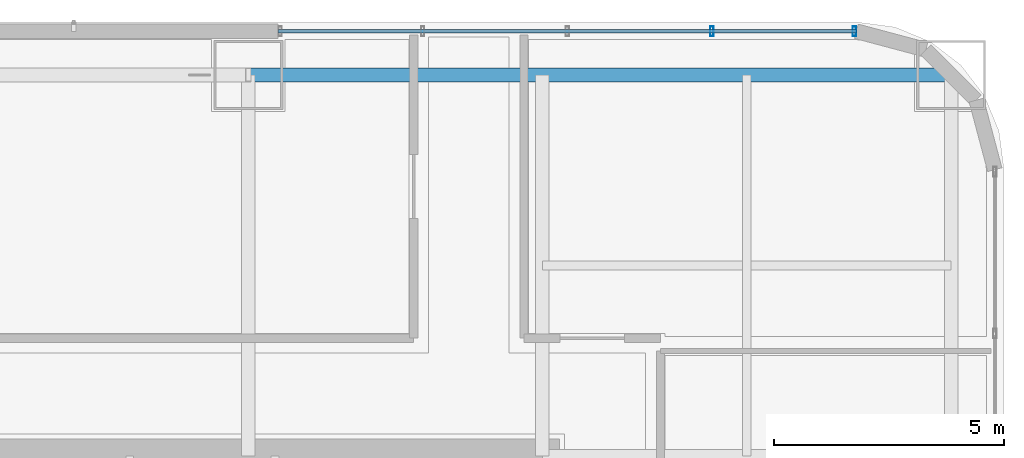
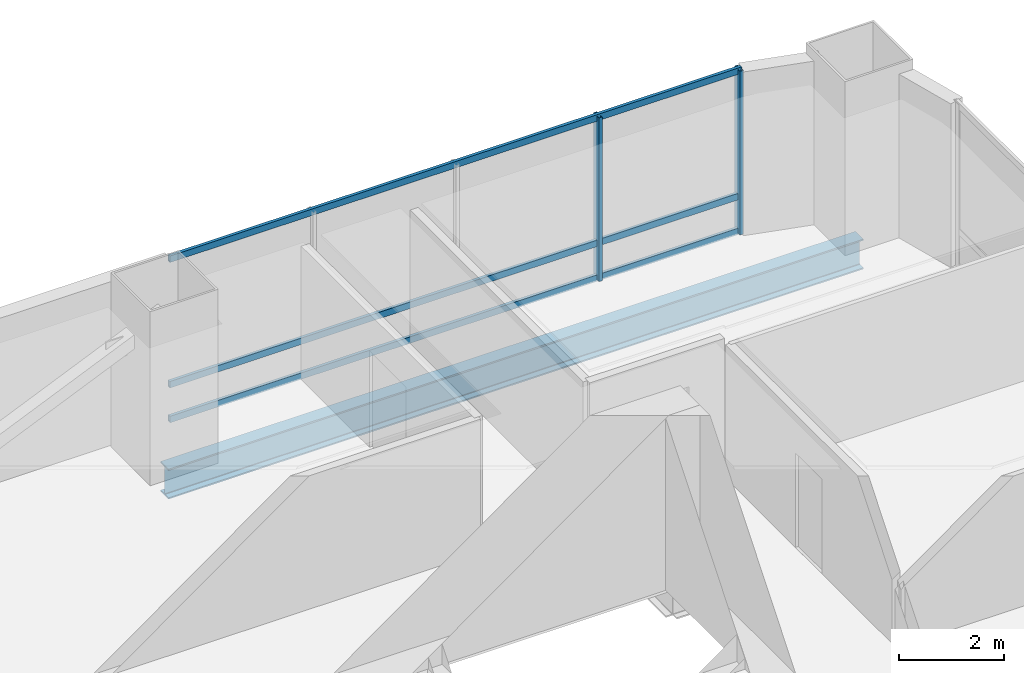
# One storey, part 22 of 37: 5 members, 1 beam, 1 element without a shape of its own.
"""IFC4 building model written with IfcOpenShell, lengths in metres."""

import ifcopenshell
import ifcopenshell.guid

model = None  # the IFC model being written
_history = None  # IfcOwnerHistory: only IFC2X3 demands one
_inside = {}  # id of a spatial element -> (the spatial element, [elements in it])
_under = {}  # id of a project, library or spatial element -> (it, [spatial elements below it])
_declared = {}  # id of a project -> (the project, [libraries it declares])
_typed = {}  # id of a type object -> (the type object, [elements of that type])
_made_of = {}  # id of a material, layer set ... -> (it, [elements and type objects made of it])


def new_model(schema):
    """Start an empty IFC model of exactly this schema.

    Asked for "IFC4X3", IfcOpenShell would pick the latest addendum, in which some entities
    have other attributes; the version numbers below select the first issue.
    IFC2X3 requires an IfcOwnerHistory on every rooted entity: one is made here for all.
    """
    global model, _history
    if schema == "IFC4X3":
        model = ifcopenshell.file(schema_version=(4, 3, 0, 0))
    else:
        model = ifcopenshell.file(schema=schema)
    _inside.clear()
    _under.clear()
    _declared.clear()
    _typed.clear()
    _made_of.clear()
    _history = None
    if model.schema == "IFC2X3":
        org = make("IfcOrganization", Name="unknown")
        user = make(
            "IfcPersonAndOrganization",
            ThePerson=make("IfcPerson", FamilyName="unknown"),
            TheOrganization=org,
        )
        app = make(
            "IfcApplication",
            ApplicationDeveloper=org,
            Version="unknown",
            ApplicationFullName="unknown",
            ApplicationIdentifier="unknown",
        )
        _history = make(
            "IfcOwnerHistory",
            OwningUser=user,
            OwningApplication=app,
            ChangeAction="ADDED",
            CreationDate=0,
        )
    return model


def make(cls, **values):
    """One entity of the class cls with the attributes given. An attribute that is None is left unset."""
    return model.create_entity(
        cls, **{name: value for name, value in values.items() if value is not None}
    )


def rooted(cls, **values):
    """An entity with a GlobalId (a new one), such as an element, a storey or a relation."""
    return make(cls, GlobalId=ifcopenshell.guid.new(), OwnerHistory=_history, **values)


def si_unit(unit_type, name, prefix=None):
    """IfcSIUnit, for example si_unit("LENGTHUNIT", "METRE", prefix="MILLI")."""
    return make("IfcSIUnit", UnitType=unit_type, Prefix=prefix, Name=name)


def assignment(units):
    """IfcUnitAssignment: the units of a project."""
    return None if units is None else make("IfcUnitAssignment", Units=units)


def point(xyz):
    """IfcCartesianPoint."""
    return None if xyz is None else make("IfcCartesianPoint", Coordinates=xyz)


def direction(xyz):
    """IfcDirection."""
    return None if xyz is None else make("IfcDirection", DirectionRatios=xyz)


def frame(location, z_axis=None, x_axis=None):
    """IfcAxis2Placement3D, a coordinate frame: its origin and axes. An axis left out is left unset."""
    return make(
        "IfcAxis2Placement3D",
        Location=point(location),
        Axis=direction(z_axis),
        RefDirection=direction(x_axis),
    )


def frame_2d(location, x_axis=None):
    """IfcAxis2Placement2D, a coordinate frame in the plane: its origin and x axis."""
    return make(
        "IfcAxis2Placement2D", Location=point(location), RefDirection=direction(x_axis)
    )


def origin():
    """The frame at (0, 0, 0) with its axes left unset."""
    return frame((0.0, 0.0, 0.0))


def origin_2d():
    """The frame at (0, 0) in the plane with its x axis left unset."""
    return frame_2d((0.0, 0.0))


def place(relative_to, where):
    """IfcLocalPlacement: puts the frame where relative to a parent placement (None: the world)."""
    return make(
        "IfcLocalPlacement", PlacementRelTo=relative_to, RelativePlacement=where
    )


def context(
    kind, dimensions, precision=None, world=None, true_north=None, identifier=None
):
    """IfcGeometricRepresentationContext, for example the 3D "Model" context."""
    return make(
        "IfcGeometricRepresentationContext",
        ContextIdentifier=identifier,
        ContextType=kind,
        CoordinateSpaceDimension=dimensions,
        Precision=precision,
        WorldCoordinateSystem=world,
        TrueNorth=true_north,
    )


def subcontext(parent, identifier, kind, view, scale=None):
    """IfcGeometricRepresentationSubContext, for example "Body" below "Model"."""
    return make(
        "IfcGeometricRepresentationSubContext",
        ContextIdentifier=identifier,
        ContextType=kind,
        ParentContext=parent,
        TargetScale=scale,
        TargetView=view,
    )


def project(units=None, contexts=None):
    """IfcProject with its units and contexts."""
    return rooted(
        "IfcProject",
        Name="project",
        RepresentationContexts=contexts,
        UnitsInContext=assignment(units),
    )


def spatial(cls, under=None, at=None, **own):
    """A site, building, storey or space (cls), placed at a placement, below another one or the project."""
    s = rooted(cls, ObjectPlacement=at, **own)
    if under is not None:
        _under.setdefault(under.id(), (under, []))[1].append(s)
    return s


def profile(cls, at=None, kind="AREA", **sizes):
    """A parametric profile (cls). Its sizes go by their IFC names, for example OverallWidth=200.0."""
    return make(cls, ProfileType=kind, Position=at, **sizes)


def hollow_rectangle(**sizes):
    """IfcRectangleHollowProfileDef."""
    return profile("IfcRectangleHollowProfileDef", **sizes)


def i_section(**sizes):
    """IfcIShapeProfileDef."""
    return profile("IfcIShapeProfileDef", **sizes)


def extrude(swept, where, along, depth):
    """IfcExtrudedAreaSolid: the profile swept, set in the frame where, extruded along a direction by depth."""
    return make(
        "IfcExtrudedAreaSolid",
        SweptArea=swept,
        Position=where,
        ExtrudedDirection=direction(along),
        Depth=depth,
    )


def shape(context_of_items, identifier, shape_type, items):
    """IfcShapeRepresentation: the items that make up one representation, for example the "Body"."""
    return make(
        "IfcShapeRepresentation",
        ContextOfItems=context_of_items,
        RepresentationIdentifier=identifier,
        RepresentationType=shape_type,
        Items=items,
    )


def material(Name=None, Category=None):
    """IfcMaterial."""
    return make("IfcMaterial", Name=Name, Category=Category)


def material_profile(
    of_material, cross_section, Name=None, Category=None, Priority=None
):
    """IfcMaterialProfile: a cross section and its material."""
    return make(
        "IfcMaterialProfile",
        Name=Name,
        Material=of_material,
        Profile=cross_section,
        Priority=Priority,
        Category=Category,
    )


def profile_set(profiles, Name=None, composite=None):
    """IfcMaterialProfileSet."""
    return make(
        "IfcMaterialProfileSet",
        Name=Name,
        MaterialProfiles=profiles,
        CompositeProfile=composite,
    )


def made_of(thing, what):
    """Note that an element or type object is made of a material, layer set ...; save() writes the relation."""
    if what is not None:
        _made_of.setdefault(what.id(), (what, []))[1].append(thing)
    return thing


def type_object(cls, material=None, **own):
    """A type object (cls), such as IfcWallType, which elements share."""
    return made_of(rooted(cls, **own), material)


def element(
    cls,
    number,
    at=None,
    inside=None,
    cuts=None,
    type_object=None,
    material=None,
    context=None,
    identifier="Body",
    shape_type=None,
    held_by="IfcProductDefinitionShape",
    body=None,
    shapes=None,
    **own,
):
    """One element of the class cls, such as IfcWall. Its Tag is "e" and its number.

    at: its placement. inside: the storey or other place that contains it. cuts: it is an
    opening in that element (IfcRelVoidsElement). A single representation is given by context,
    identifier, shape_type and body (its items); several are given by shapes. held_by: the class
    of the entity that holds the representations. save() writes the other relations.
    """
    e = rooted(cls, Tag="e%d" % number, ObjectPlacement=at, **own)
    if body is not None:
        shapes = [shape(context, identifier, shape_type, body)]
    if shapes is not None:
        e.Representation = make(held_by, Representations=shapes)
    if inside is not None:
        _inside.setdefault(inside.id(), (inside, []))[1].append(e)
    if cuts is not None:
        rooted(
            "IfcRelVoidsElement", RelatingBuildingElement=cuts, RelatedOpeningElement=e
        )
    if type_object is not None:
        _typed.setdefault(type_object.id(), (type_object, []))[1].append(e)
    return made_of(e, material)


def aggregate(whole, parts):
    """IfcRelAggregates: a whole, such as a stair, and the parts it consists of."""
    return rooted("IfcRelAggregates", RelatingObject=whole, RelatedObjects=parts)


def save(model, path):
    """Write the relations noted so far, then the file.

    IfcRelAggregates (storeys below a building ...), IfcRelContainedInSpatialStructure (elements
    in a storey), IfcRelDefinesByType, IfcRelAssociatesMaterial and IfcRelDeclares: one each for
    every whole, place, type object, material and project.
    """
    for whole, parts in _under.values():
        aggregate(whole, parts)
    for where, things in _inside.values():
        rooted(
            "IfcRelContainedInSpatialStructure",
            RelatedElements=things,
            RelatingStructure=where,
        )
    for kind, things in _typed.values():
        rooted("IfcRelDefinesByType", RelatedObjects=things, RelatingType=kind)
    for what, things in _made_of.values():
        rooted("IfcRelAssociatesMaterial", RelatedObjects=things, RelatingMaterial=what)
    for by, libraries in _declared.values():
        rooted("IfcRelDeclares", RelatingContext=by, RelatedDefinitions=libraries)
    model.write(path)


model = new_model("IFC4")

# Units and contexts
model_context = context("Model", 3, precision=1e-05, world=origin(), true_north=direction((0.0, 1.0)))
body_context = subcontext(model_context, "Body", "Model", "MODEL_VIEW")
ifc_project = project(units=[si_unit("LENGTHUNIT", "METRE"), si_unit("AREAUNIT", "SQUARE_METRE"), si_unit("VOLUMEUNIT", "CUBIC_METRE"), si_unit("PLANEANGLEUNIT", "RADIAN"), si_unit("MASSUNIT", "GRAM", prefix="KILO")], contexts=[model_context])

# Site, building, storey
site_placement = place(None, origin())
site = spatial("IfcSite", under=ifc_project, at=site_placement, CompositionType="ELEMENT")
building_placement = place(site_placement, origin())
building = spatial("IfcBuilding", under=site, at=building_placement, Name="Punatoya Terracotta Tower", CompositionType="ELEMENT")
storey_placement = place(building_placement, frame((0.0, 0.0, 44.39990234375)))
storey = spatial("IfcBuildingStorey", under=building, at=storey_placement, Name="L09", CompositionType="ELEMENT", Elevation=44.39990234375)

# Beam
ifc_material_1 = material(Name="Steel S355", Category="steel")
ifc_material_profile_1 = material_profile(ifc_material_1, i_section(OverallWidth=0.300048828125, OverallDepth=0.699951171875, WebThickness=0.01708984375, FlangeThickness=0.031982421875, FilletRadius=0.01806640625, at=origin_2d()))
ifc_profile_set_1 = profile_set([ifc_material_profile_1], Name="Steel S355")
beam_type = type_object("IfcBeamType", Name="BM-PRI-700", PredefinedType="BEAM", material=ifc_profile_set_1)
beam_placement = place(storey_placement, frame((3.800048828125, 17.5, -0.58984375), z_axis=(1.0, 0.0, 0.0), x_axis=(0.0, 1.0, 0.0)))
element("IfcBeam", 1, at=beam_placement, inside=storey, type_object=beam_type, Name="BM-L09-RG-N3", PredefinedType="BEAM", context=body_context, shape_type="SweptSolid", body=[
    extrude(i_section(OverallWidth=0.300048828125, OverallDepth=0.699951171875, WebThickness=0.01708984375, FlangeThickness=0.031982421875, FilletRadius=0.01806640625, at=origin_2d()), origin(), (0.0, 0.0, 1.0), 15.300048828125),
])

# Curtain wall, members
ifc_material_2 = material(Name="Aluminium 6063-T6 + Double Low-E Glass", Category="aluminium")
curtain_wall_type = type_object("IfcCurtainWallType", Name="CW-M1", PredefinedType="NOTDEFINED", material=ifc_material_2)
curtain_wall_placement = place(storey_placement, origin())
curtain_wall = element("IfcCurtainWall", 2, at=curtain_wall_placement, inside=storey, type_object=curtain_wall_type, Name="L09 Curtain Wall CW-L09-N09-1", PredefinedType="NOTDEFINED")
ifc_material_3 = material(Name="Aluminium 6063-T6", Category="aluminium")
ifc_material_profile_2 = material_profile(ifc_material_3, hollow_rectangle(XDim=0.074951171875, YDim=0.2099609375, WallThickness=0.00439453125, at=origin_2d()))
ifc_profile_set_2 = profile_set([ifc_material_profile_2], Name="Aluminium 6063-T6")
member_type_1 = type_object("IfcMemberType", Name="CW-MUL-M1", PredefinedType="MULLION", material=ifc_profile_set_2)
member_1_placement = place(storey_placement, frame((16.991943359375, 18.449951171875, 0.0), z_axis=(0.0, 0.0, 1.0), x_axis=(1.0, 0.0, 0.0)))
member_1 = element("IfcMember", 3, at=member_1_placement, type_object=member_type_1, Name="CW-L09-N09-1 Mullion 00", PredefinedType="MULLION", context=body_context, shape_type="SweptSolid", body=[
    extrude(hollow_rectangle(XDim=0.074951171875, YDim=0.2099609375, WallThickness=0.00439453125, at=origin_2d()), origin(), (0.0, 0.0, 1.0), 3.81005859375),
])
member_2_placement = place(storey_placement, frame((13.89013671875, 18.449951171875, 0.0), z_axis=(0.0, 0.0, 1.0), x_axis=(1.0, 0.0, 0.0)))
member_2 = element("IfcMember", 4, at=member_2_placement, type_object=member_type_1, Name="CW-L09-N09-1 Mullion 01", PredefinedType="MULLION", context=body_context, shape_type="SweptSolid", body=[
    extrude(hollow_rectangle(XDim=0.074951171875, YDim=0.2099609375, WallThickness=0.00439453125, at=origin_2d()), origin(), (0.0, 0.0, 1.0), 3.81005859375),
])
ifc_material_profile_3 = material_profile(ifc_material_3, hollow_rectangle(XDim=0.068115234375, YDim=0.14990234375, WallThickness=0.00390625, at=origin_2d()))
ifc_profile_set_3 = profile_set([ifc_material_profile_3], Name="Aluminium 6063-T6")
member_type_2 = type_object("IfcMemberType", Name="CW-TRN-TYP", PredefinedType="USERDEFINED", material=ifc_profile_set_3)
member_3_placement = place(storey_placement, frame((17.036865234375, 18.449951171875, 0.0400390625), z_axis=(-1.0, 0.0, 0.0), x_axis=(0.0, -1.0, 0.0)))
member_3 = element("IfcMember", 5, at=member_3_placement, type_object=member_type_2, Name="CW-L09-N09-1 Transom 1", ObjectType="TRANSOM", PredefinedType="USERDEFINED", context=body_context, shape_type="SweptSolid", body=[
    extrude(hollow_rectangle(XDim=0.068115234375, YDim=0.14990234375, WallThickness=0.00390625, at=origin_2d()), origin(), (0.0, 0.0, 1.0), 12.5869140625),
])
member_4_placement = place(storey_placement, frame((17.036865234375, 18.449951171875, 0.85009765625), z_axis=(-1.0, 0.0, 0.0), x_axis=(0.0, -1.0, 0.0)))
member_4 = element("IfcMember", 6, at=member_4_placement, type_object=member_type_2, Name="CW-L09-N09-1 Transom 2", ObjectType="TRANSOM", PredefinedType="USERDEFINED", context=body_context, shape_type="SweptSolid", body=[
    extrude(hollow_rectangle(XDim=0.068115234375, YDim=0.14990234375, WallThickness=0.00390625, at=origin_2d()), origin(), (0.0, 0.0, 1.0), 12.5869140625),
])
member_5_placement = place(storey_placement, frame((17.036865234375, 18.449951171875, 3.77001953125), z_axis=(-1.0, 0.0, 0.0), x_axis=(0.0, -1.0, 0.0)))
member_5 = element("IfcMember", 7, at=member_5_placement, type_object=member_type_2, Name="CW-L09-N09-1 Transom 3", ObjectType="TRANSOM", PredefinedType="USERDEFINED", context=body_context, shape_type="SweptSolid", body=[
    extrude(hollow_rectangle(XDim=0.068115234375, YDim=0.14990234375, WallThickness=0.00390625, at=origin_2d()), origin(), (0.0, 0.0, 1.0), 12.5869140625),
])
aggregate(curtain_wall, [member_1, member_2, member_3, member_4, member_5])

save(model, "model.ifc")
